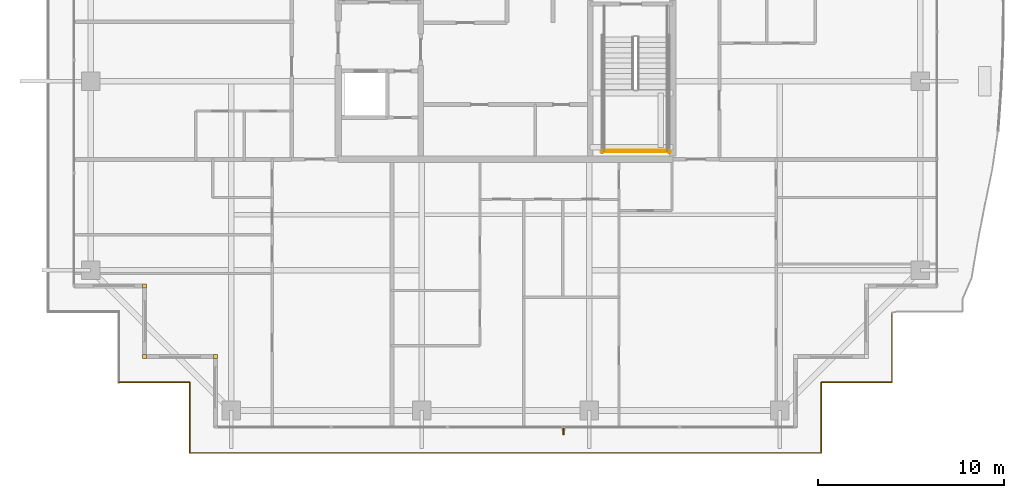
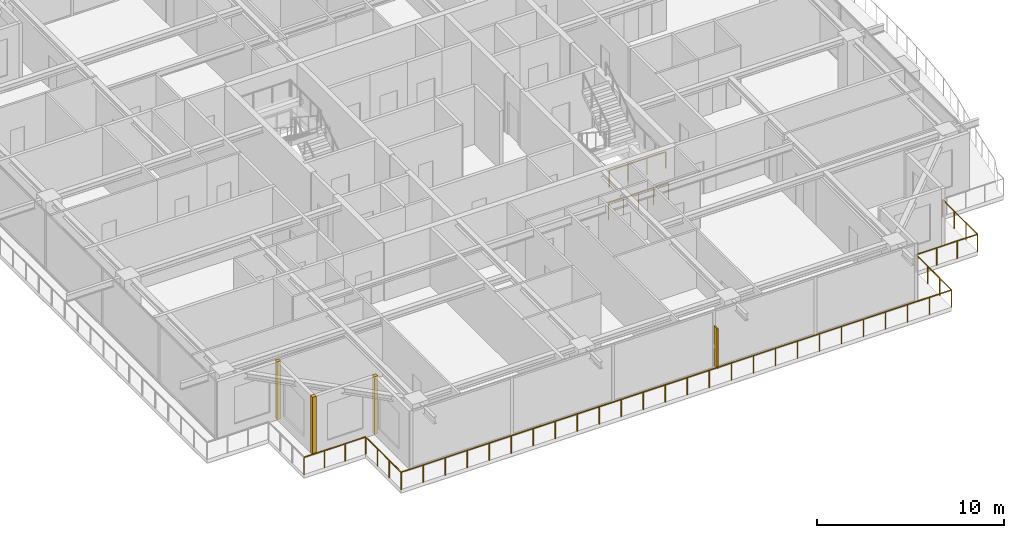
# One storey, part 36 of 40: 3 coverings, 3 railings, 1 shading device.
"""IFC4 building model written with IfcOpenShell, lengths in metres."""

from ifc_helpers import new_model, si_unit, direction, frame, origin, origin_2d, place, context, subcontext, project, spatial, rectangle, circle, extrude, source, transform, mapped, material, layer, layer_set, type_object, element, save


model = new_model("IFC4")

# Units and contexts
model_context = context("Model", 3, precision=1e-05, world=origin(), true_north=direction((0.0, 1.0)))
body_context = subcontext(model_context, "Body", "Model", "MODEL_VIEW")
ifc_project = project(units=[si_unit("LENGTHUNIT", "METRE"), si_unit("AREAUNIT", "SQUARE_METRE"), si_unit("VOLUMEUNIT", "CUBIC_METRE"), si_unit("PLANEANGLEUNIT", "RADIAN"), si_unit("MASSUNIT", "GRAM", prefix="KILO")], contexts=[model_context])

# Site, building, storey
site_placement = place(None, origin())
site = spatial("IfcSite", under=ifc_project, at=site_placement, CompositionType="ELEMENT")
building_placement = place(site_placement, origin())
building = spatial("IfcBuilding", under=site, at=building_placement, Name="Serunith Strait Residences", CompositionType="ELEMENT")
storey_placement = place(building_placement, frame((0.0, 0.0, 313.699951171875)))
storey = spatial("IfcBuildingStorey", under=building, at=storey_placement, Name="L78", CompositionType="ELEMENT", Elevation=313.699951171875)

# Railings
ifc_material_1 = material(Name="Stainless Steel & Laminated Glass Balustrade", Category="steel")
railing_type_1 = type_object("IfcRailingType", Name="RLG-BALC-1150", PredefinedType="BALUSTRADE", material=ifc_material_1)
railing_1_placement = place(storey_placement, frame((53.179931640625, 8.547119140625, -0.050048828125)))
element("IfcRailing", 1, at=railing_1_placement, inside=storey, type_object=railing_type_1, Name="L78 Swirling Balcony Perimeter Balustrade 7", PredefinedType="BALUSTRADE", context=body_context, shape_type="SweptSolid", body=[
    extrude(circle(Radius=0.02392578125, at=origin_2d()), frame((0.0, -0.001953125, 1.1259765625), z_axis=(0.0, -1.0, 0.0), x_axis=(1.0, 0.0, 0.0)), (0.0, 0.0, 1.0), 3.72314453125),
    extrude(circle(Radius=0.02392578125, at=origin_2d()), frame((-0.001953125, -3.72705078125, 1.1259765625), z_axis=(-1.0, 0.0, 0.0), x_axis=(0.0, -1.0, 0.0)), (0.0, 0.0, 1.0), 3.783447265625),
    extrude(circle(Radius=0.02392578125, at=origin_2d()), frame((-3.800048828125, -3.73388671875, 1.1259765625), z_axis=(0.0, -1.0, 0.0), x_axis=(1.0, 0.0, 0.0)), (0.0, 0.0, 1.0), 3.791259765625),
    extrude(circle(Radius=0.02392578125, at=origin_2d()), frame((-3.802001953125, -7.527099609375, 1.1259765625), z_axis=(-1.0, 0.0, 0.0), x_axis=(0.0, -1.0, 0.0)), (0.0, 0.0, 1.0), 33.9560546875),
    extrude(circle(Radius=0.02392578125, at=origin_2d()), frame((-37.760009765625, -7.525146484375, 1.1259765625), z_axis=(0.0, 1.0, 0.0), x_axis=(-1.0, 0.0, 0.0)), (0.0, 0.0, 1.0), 3.796142578125),
    extrude(circle(Radius=0.02392578125, at=origin_2d()), frame((-37.761962890625, -3.72705078125, 1.1259765625), z_axis=(-1.0, 0.0, 0.0), x_axis=(0.0, -1.0, 0.0)), (0.0, 0.0, 1.0), 3.7958984375),
    extrude(circle(Radius=0.02099609375, at=origin_2d()), origin(), (0.0, 0.0, 1.0), 1.099853515625),
    extrude(circle(Radius=0.02099609375, at=origin_2d()), frame((0.0, -1.242431640625, 0.0)), (0.0, 0.0, 1.0), 1.099853515625),
    extrude(circle(Radius=0.02099609375, at=origin_2d()), frame((0.0, -2.484619140625, 0.0)), (0.0, 0.0, 1.0), 1.099853515625),
    extrude(circle(Radius=0.02099609375, at=origin_2d()), frame((0.0, -3.72705078125, 0.0)), (0.0, 0.0, 1.0), 1.099853515625),
    extrude(circle(Radius=0.02099609375, at=origin_2d()), frame((-1.262451171875, -3.72705078125, 0.0)), (0.0, 0.0, 1.0), 1.099853515625),
    extrude(circle(Radius=0.02099609375, at=origin_2d()), frame((-2.52490234375, -3.72705078125, 0.0)), (0.0, 0.0, 1.0), 1.099853515625),
    extrude(circle(Radius=0.02099609375, at=origin_2d()), frame((-3.800048828125, -3.73193359375, 0.0)), (0.0, 0.0, 1.0), 1.099853515625),
    extrude(circle(Radius=0.02099609375, at=origin_2d()), frame((-3.800048828125, -4.9970703125, 0.0)), (0.0, 0.0, 1.0), 1.099853515625),
    extrude(circle(Radius=0.02099609375, at=origin_2d()), frame((-3.800048828125, -6.261962890625, 0.0)), (0.0, 0.0, 1.0), 1.099853515625),
    extrude(circle(Radius=0.02099609375, at=origin_2d()), frame((-3.800048828125, -7.527099609375, 0.0)), (0.0, 0.0, 1.0), 1.099853515625),
    extrude(circle(Radius=0.02099609375, at=origin_2d()), frame((-5.158447265625, -7.527099609375, 0.0)), (0.0, 0.0, 1.0), 1.099853515625),
    extrude(circle(Radius=0.02099609375, at=origin_2d()), frame((-6.516845703125, -7.527099609375, 0.0)), (0.0, 0.0, 1.0), 1.099853515625),
    extrude(circle(Radius=0.02099609375, at=origin_2d()), frame((-7.875244140625, -7.527099609375, 0.0)), (0.0, 0.0, 1.0), 1.099853515625),
    extrude(circle(Radius=0.02099609375, at=origin_2d()), frame((-9.233642578125, -7.527099609375, 0.0)), (0.0, 0.0, 1.0), 1.099853515625),
    extrude(circle(Radius=0.02099609375, at=origin_2d()), frame((-10.592041015625, -7.527099609375, 0.0)), (0.0, 0.0, 1.0), 1.099853515625),
    extrude(circle(Radius=0.02099609375, at=origin_2d()), frame((-11.950439453125, -7.527099609375, 0.0)), (0.0, 0.0, 1.0), 1.099853515625),
    extrude(circle(Radius=0.02099609375, at=origin_2d()), frame((-13.308837890625, -7.527099609375, 0.0)), (0.0, 0.0, 1.0), 1.099853515625),
    extrude(circle(Radius=0.02099609375, at=origin_2d()), frame((-14.667236328125, -7.527099609375, 0.0)), (0.0, 0.0, 1.0), 1.099853515625),
    extrude(circle(Radius=0.02099609375, at=origin_2d()), frame((-16.025634765625, -7.527099609375, 0.0)), (0.0, 0.0, 1.0), 1.099853515625),
    extrude(circle(Radius=0.02099609375, at=origin_2d()), frame((-17.384033203125, -7.527099609375, 0.0)), (0.0, 0.0, 1.0), 1.099853515625),
    extrude(circle(Radius=0.02099609375, at=origin_2d()), frame((-18.742431640625, -7.527099609375, 0.0)), (0.0, 0.0, 1.0), 1.099853515625),
    extrude(circle(Radius=0.02099609375, at=origin_2d()), frame((-20.100830078125, -7.527099609375, 0.0)), (0.0, 0.0, 1.0), 1.099853515625),
    extrude(circle(Radius=0.02099609375, at=origin_2d()), frame((-21.459228515625, -7.527099609375, 0.0)), (0.0, 0.0, 1.0), 1.099853515625),
    extrude(circle(Radius=0.02099609375, at=origin_2d()), frame((-22.817626953125, -7.527099609375, 0.0)), (0.0, 0.0, 1.0), 1.099853515625),
    extrude(circle(Radius=0.02099609375, at=origin_2d()), frame((-24.176025390625, -7.527099609375, 0.0)), (0.0, 0.0, 1.0), 1.099853515625),
    extrude(circle(Radius=0.02099609375, at=origin_2d()), frame((-25.534423828125, -7.527099609375, 0.0)), (0.0, 0.0, 1.0), 1.099853515625),
    extrude(circle(Radius=0.02099609375, at=origin_2d()), frame((-26.892822265625, -7.527099609375, 0.0)), (0.0, 0.0, 1.0), 1.099853515625),
    extrude(circle(Radius=0.02099609375, at=origin_2d()), frame((-28.251220703125, -7.527099609375, 0.0)), (0.0, 0.0, 1.0), 1.099853515625),
    extrude(circle(Radius=0.02099609375, at=origin_2d()), frame((-29.609619140625, -7.527099609375, 0.0)), (0.0, 0.0, 1.0), 1.099853515625),
    extrude(circle(Radius=0.02099609375, at=origin_2d()), frame((-30.968017578125, -7.527099609375, 0.0)), (0.0, 0.0, 1.0), 1.099853515625),
    extrude(circle(Radius=0.02099609375, at=origin_2d()), frame((-32.326416015625, -7.527099609375, 0.0)), (0.0, 0.0, 1.0), 1.099853515625),
    extrude(circle(Radius=0.02099609375, at=origin_2d()), frame((-33.684814453125, -7.527099609375, 0.0)), (0.0, 0.0, 1.0), 1.099853515625),
    extrude(circle(Radius=0.02099609375, at=origin_2d()), frame((-35.043212890625, -7.527099609375, 0.0)), (0.0, 0.0, 1.0), 1.099853515625),
    extrude(circle(Radius=0.02099609375, at=origin_2d()), frame((-36.401611328125, -7.527099609375, 0.0)), (0.0, 0.0, 1.0), 1.099853515625),
    extrude(circle(Radius=0.02099609375, at=origin_2d()), frame((-37.760009765625, -7.527099609375, 0.0)), (0.0, 0.0, 1.0), 1.099853515625),
    extrude(circle(Radius=0.02099609375, at=origin_2d()), frame((-37.760009765625, -6.260498046875, 0.0)), (0.0, 0.0, 1.0), 1.099853515625),
    extrude(circle(Radius=0.02099609375, at=origin_2d()), frame((-37.760009765625, -4.99365234375, 0.0)), (0.0, 0.0, 1.0), 1.099853515625),
    extrude(circle(Radius=0.02099609375, at=origin_2d()), frame((-37.760009765625, -3.72705078125, 0.0)), (0.0, 0.0, 1.0), 1.099853515625),
    extrude(circle(Radius=0.02099609375, at=origin_2d()), frame((-39.026611328125, -3.72705078125, 0.0)), (0.0, 0.0, 1.0), 1.099853515625),
    extrude(circle(Radius=0.02099609375, at=origin_2d()), frame((-40.293212890625, -3.72705078125, 0.0)), (0.0, 0.0, 1.0), 1.099853515625),
    extrude(circle(Radius=0.02099609375, at=origin_2d()), frame((-41.559814453125, -3.72705078125, 0.0)), (0.0, 0.0, 1.0), 1.099853515625),
])
ifc_material_2 = material(Name="Brushed stainless steel 316L", Category="steel")
railing_type_2 = type_object("IfcRailingType", Name="RLG-STAIR-GUARD", PredefinedType="BALUSTRADE", material=ifc_material_2)
railing_2_placement = place(storey_placement, frame((37.64990234375, 17.300048828125, 2.025146484375)))
element("IfcRailing", 2, at=railing_2_placement, inside=storey, type_object=railing_type_2, Name="L78 ST-2 stair guard 5", PredefinedType="BALUSTRADE", context=body_context, shape_type="SweptSolid", body=[
    extrude(circle(Radius=0.02392578125, at=origin_2d()), frame((0.001953125, 0.0, 1.076171875), z_axis=(1.0, 0.0, 0.0), x_axis=(0.0, 1.0, 0.0)), (0.0, 0.0, 1.0), 3.49609375),
    extrude(circle(Radius=0.02099609375, at=origin_2d()), origin(), (0.0, 0.0, 1.0), 1.050048828125),
    extrude(circle(Radius=0.02099609375, at=origin_2d()), frame((1.166748046875, 0.0, 0.0)), (0.0, 0.0, 1.0), 1.050048828125),
    extrude(circle(Radius=0.02099609375, at=origin_2d()), frame((2.333251953125, 0.0, 0.0)), (0.0, 0.0, 1.0), 1.050048828125),
    extrude(circle(Radius=0.02099609375, at=origin_2d()), frame((3.5, 0.0, 0.0)), (0.0, 0.0, 1.0), 1.050048828125),
])
railing_3_placement = place(storey_placement, frame((37.550048828125, 17.199951171875, 0.0)))
element("IfcRailing", 3, at=railing_3_placement, inside=storey, type_object=railing_type_2, Name="L78 ST-2 stair guard 12", PredefinedType="BALUSTRADE", context=body_context, shape_type="SweptSolid", body=[
    extrude(circle(Radius=0.02392578125, at=origin_2d()), frame((0.001953125, 0.0, 1.076171875), z_axis=(1.0, 0.0, 0.0), x_axis=(0.0, 1.0, 0.0)), (0.0, 0.0, 1.0), 3.696044921875),
    extrude(circle(Radius=0.02099609375, at=origin_2d()), origin(), (0.0, 0.0, 1.0), 1.050048828125),
    extrude(circle(Radius=0.02099609375, at=origin_2d()), frame((0.925048828125, 0.0, 0.0)), (0.0, 0.0, 1.0), 1.050048828125),
    extrude(circle(Radius=0.02099609375, at=origin_2d()), frame((1.85009765625, 0.0, 0.0)), (0.0, 0.0, 1.0), 1.050048828125),
    extrude(circle(Radius=0.02099609375, at=origin_2d()), frame((2.77490234375, 0.0, 0.0)), (0.0, 0.0, 1.0), 1.050048828125),
    extrude(circle(Radius=0.02099609375, at=origin_2d()), frame((3.699951171875, 0.0, 0.0)), (0.0, 0.0, 1.0), 1.050048828125),
])

# Shading device
ifc_material_3 = material(Name="Pale-Champagne Perforated Aluminium Fin", Category="aluminium")
shading_device_type = type_object("IfcShadingDeviceType", Name="SHD-DIAG-FIN", PredefinedType="AWNING", material=ifc_material_3)
shared_shape_1 = source(origin(), body_context, "Body", "SweptSolid", [
    extrude(rectangle(XDim=0.080078125, YDim=0.35009765625, at=origin_2d()), origin(), (0.0, 0.0, 1.0), 2.60009765625),
])
shading_device_placement = place(storey_placement, frame((35.52001953125, 2.179931640625, 0.199951171875), z_axis=(0.0, 0.0, 1.0), x_axis=(1.0, 0.0, 0.0)))
element("IfcShadingDevice", 4, at=shading_device_placement, inside=storey, type_object=shading_device_type, Name="L78 Diagonal Rhythm Solar Fin S", PredefinedType="AWNING", context=body_context, shape_type="MappedRepresentation", body=[
    mapped(shared_shape_1, transform((0.0, 0.0, 0.0), scale=1.0)),
])

# Coverings
ifc_material_4 = material(Name="Pale-Champagne Anodised Aluminium", Category="aluminium")
ifc_layer = layer(ifc_material_4, 0.219970703125, Name="Pale-Champagne Anodised Aluminium")
ifc_layer_set = layer_set([ifc_layer], Name="Pale-Champagne Anodised Aluminium")
covering_type = type_object("IfcCoveringType", Name="COV-CORN-TRIM", PredefinedType="CLADDING", material=ifc_layer_set)
shared_shape_2 = source(origin(), body_context, "Body", "SweptSolid", [
    extrude(rectangle(XDim=0.221923828125, YDim=0.221923828125, at=origin_2d()), origin(), (0.0, 0.0, 1.0), 3.77490234375),
])
for number, where, z_axis, x_axis, name in (
    (5, (13.0, 10.0, 0.0), (0.0, 0.0, 1.0), (1.0, 0.0, 0.0), "L78 Girih Serrated Corner Trim Post 17"),
    (6, (13.0, 6.199951171875, 0.0), (0.0, 0.0, 1.0), (1.0, 0.0, 0.0), "L78 Girih Serrated Corner Trim Post 18"),
    (7, (16.800048828125, 6.199951171875, 0.0), (0.0, 0.0, 1.0), (1.0, 0.0, 0.0), "L78 Girih Serrated Corner Trim Post 19"),
):
    element("IfcCovering", number, at=place(storey_placement, frame(where, z_axis=z_axis, x_axis=x_axis)), inside=storey, type_object=covering_type, Name=name, PredefinedType="CLADDING", context=body_context, shape_type="MappedRepresentation", body=[
        mapped(shared_shape_2, transform((0.0, 0.0, 0.0), scale=1.0)),
    ])

save(model, "model.ifc")
